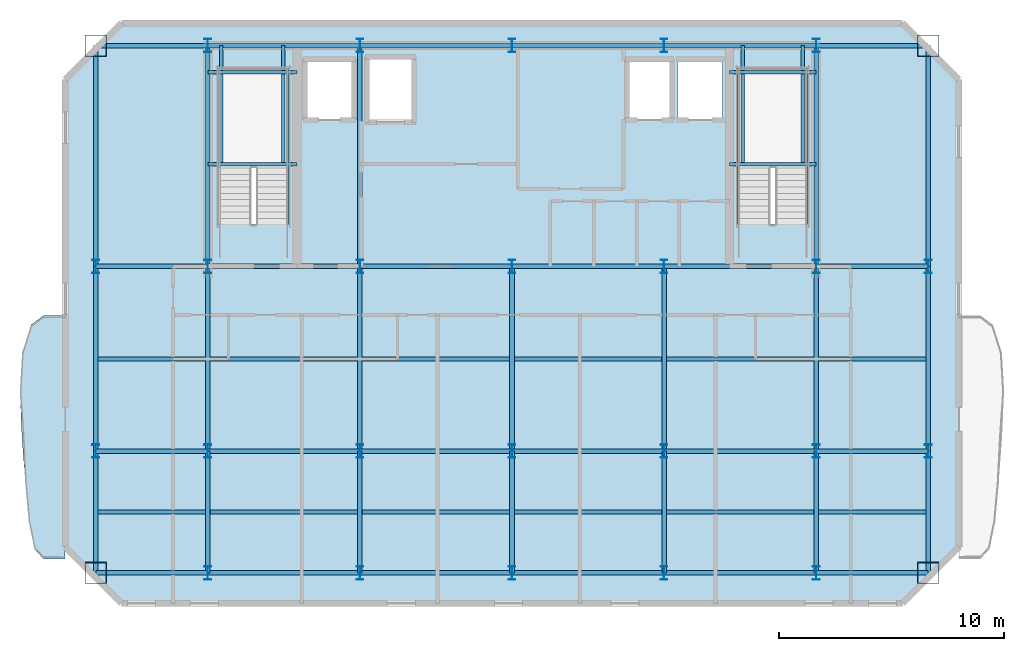
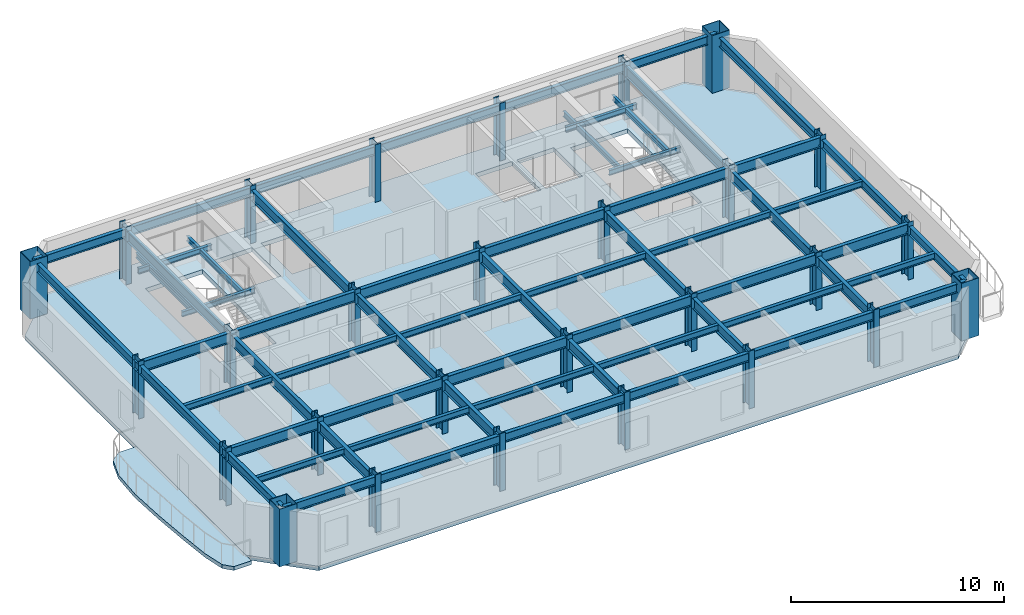
# One storey, part 1 of 6: 63 beams, 28 columns, 2 slabs.
"""IFC4 building model written with IfcOpenShell, lengths in metres."""

from ifc_helpers import new_model, si_unit, direction, frame, origin, origin_2d, place, context, subcontext, project, spatial, polyline, hollow_rectangle, i_section, outline, extrude, material, layer, layer_set, material_profile, profile_set, type_object, element, save


model = new_model("IFC4")

# Units and contexts
model_context = context("Model", 3, precision=1e-05, world=origin(), true_north=direction((0.0, 1.0)))
body_context = subcontext(model_context, "Body", "Model", "MODEL_VIEW")
ifc_project = project(units=[si_unit("LENGTHUNIT", "METRE"), si_unit("AREAUNIT", "SQUARE_METRE"), si_unit("VOLUMEUNIT", "CUBIC_METRE"), si_unit("PLANEANGLEUNIT", "RADIAN"), si_unit("MASSUNIT", "GRAM", prefix="KILO")], contexts=[model_context])

# Site, building, storey
site_placement = place(None, origin())
site = spatial("IfcSite", under=ifc_project, at=site_placement, CompositionType="ELEMENT")
building_placement = place(site_placement, origin())
building = spatial("IfcBuilding", under=site, at=building_placement, Name="Haevon Station Towers", CompositionType="ELEMENT")
storey_placement = place(building_placement, frame((0.0, 0.0, 242.699951171875)))
storey = spatial("IfcBuildingStorey", under=building, at=storey_placement, Name="L67", CompositionType="ELEMENT", Elevation=242.699951171875)

# Columns
ifc_material_1 = material(Name="Steel S460", Category="steel")
ifc_material_profile_1 = material_profile(ifc_material_1, hollow_rectangle(XDim=0.949951171875, YDim=0.949951171875, WallThickness=0.028076171875, at=origin_2d()), Name="BOX-950x950x28")
ifc_profile_set_1 = profile_set([ifc_material_profile_1], Name="Steel S460")
column_type_1 = type_object("IfcColumnType", Name="COL-MC6", PredefinedType="COLUMN", material=ifc_profile_set_1)
for number, where, z_axis, x_axis, name in (
    (1, (19.02490234375, 24.60009765625, 0.0), (0.0, 0.0, 1.0), (1.0, 0.0, 0.0), "COL-T1-L67-01-01"),
    (2, (19.02490234375, 48.0, 0.0), (0.0, 0.0, 1.0), (1.0, 0.0, 0.0), "COL-T1-L67-01-04"),
    (3, (55.97509765625, 24.60009765625, 0.0), (0.0, 0.0, 1.0), (1.0, 0.0, 0.0), "COL-T1-L67-07-01"),
    (4, (55.97509765625, 48.0, 0.0), (0.0, 0.0, 1.0), (1.0, 0.0, 0.0), "COL-T1-L67-07-04"),
):
    element("IfcColumn", number, at=place(storey_placement, frame(where, z_axis=z_axis, x_axis=x_axis)), inside=storey, type_object=column_type_1, Name=name, PredefinedType="COLUMN", context=body_context, shape_type="SweptSolid", body=[
        extrude(hollow_rectangle(XDim=0.949951171875, YDim=0.949951171875, WallThickness=0.028076171875, at=origin_2d()), origin(), (0.0, 0.0, 1.0), 3.300048828125),
    ])
ifc_material_2 = material(Name="Steel S355", Category="steel")
ifc_material_profile_2 = material_profile(ifc_material_2, i_section(OverallWidth=0.300048828125, OverallDepth=0.60009765625, WebThickness=0.013916015625, FlangeThickness=0.02490234375, at=origin_2d()), Name="H-600x300x14x25")
ifc_profile_set_2 = profile_set([ifc_material_profile_2], Name="Steel S355")
column_type_2 = type_object("IfcColumnType", Name="COL-TW4", PredefinedType="COLUMN", material=ifc_profile_set_2)
for number, where, z_axis, x_axis, name in (
    (5, (19.02490234375, 30.0, 0.0), (0.0, 0.0, 1.0), (1.0, 0.0, 0.0), "COL-T1-L67-01-02"),
    (6, (19.02490234375, 38.199951171875, 0.0), (0.0, 0.0, 1.0), (1.0, 0.0, 0.0), "COL-T1-L67-01-03"),
    (7, (24.0, 24.60009765625, 0.0), (0.0, 0.0, 1.0), (1.0, 0.0, 0.0), "COL-T1-L67-02-01"),
    (8, (24.0, 30.0, 0.0), (0.0, 0.0, 1.0), (1.0, 0.0, 0.0), "COL-T1-L67-02-02"),
    (9, (24.0, 38.199951171875, 0.0), (0.0, 0.0, 1.0), (1.0, 0.0, 0.0), "COL-T1-L67-02-03"),
    (10, (24.0, 48.0, 0.0), (0.0, 0.0, 1.0), (1.0, 0.0, 0.0), "COL-T1-L67-02-04"),
    (11, (30.75, 24.60009765625, 0.0), (0.0, 0.0, 1.0), (1.0, 0.0, 0.0), "COL-T1-L67-03-01"),
    (12, (30.75, 30.0, 0.0), (0.0, 0.0, 1.0), (1.0, 0.0, 0.0), "COL-T1-L67-03-02"),
    (13, (30.75, 38.199951171875, 0.0), (0.0, 0.0, 1.0), (1.0, 0.0, 0.0), "COL-T1-L67-03-03"),
    (14, (30.75, 48.0, 0.0), (0.0, 0.0, 1.0), (1.0, 0.0, 0.0), "COL-T1-L67-03-04"),
    (15, (37.5, 24.60009765625, 0.0), (0.0, 0.0, 1.0), (1.0, 0.0, 0.0), "COL-T1-L67-04-01"),
    (16, (37.5, 30.0, 0.0), (0.0, 0.0, 1.0), (1.0, 0.0, 0.0), "COL-T1-L67-04-02"),
    (17, (37.5, 38.199951171875, 0.0), (0.0, 0.0, 1.0), (1.0, 0.0, 0.0), "COL-T1-L67-04-03"),
    (18, (37.5, 48.0, 0.0), (0.0, 0.0, 1.0), (1.0, 0.0, 0.0), "COL-T1-L67-04-04"),
    (19, (44.25, 24.60009765625, 0.0), (0.0, 0.0, 1.0), (1.0, 0.0, 0.0), "COL-T1-L67-05-01"),
    (20, (44.25, 30.0, 0.0), (0.0, 0.0, 1.0), (1.0, 0.0, 0.0), "COL-T1-L67-05-02"),
    (21, (44.25, 38.199951171875, 0.0), (0.0, 0.0, 1.0), (1.0, 0.0, 0.0), "COL-T1-L67-05-03"),
    (22, (44.25, 48.0, 0.0), (0.0, 0.0, 1.0), (1.0, 0.0, 0.0), "COL-T1-L67-05-04"),
    (23, (51.0, 24.60009765625, 0.0), (0.0, 0.0, 1.0), (1.0, 0.0, 0.0), "COL-T1-L67-06-01"),
    (24, (51.0, 30.0, 0.0), (0.0, 0.0, 1.0), (1.0, 0.0, 0.0), "COL-T1-L67-06-02"),
    (25, (51.0, 38.199951171875, 0.0), (0.0, 0.0, 1.0), (1.0, 0.0, 0.0), "COL-T1-L67-06-03"),
    (26, (51.0, 48.0, 0.0), (0.0, 0.0, 1.0), (1.0, 0.0, 0.0), "COL-T1-L67-06-04"),
    (27, (55.97509765625, 30.0, 0.0), (0.0, 0.0, 1.0), (1.0, 0.0, 0.0), "COL-T1-L67-07-02"),
    (28, (55.97509765625, 38.199951171875, 0.0), (0.0, 0.0, 1.0), (1.0, 0.0, 0.0), "COL-T1-L67-07-03"),
):
    element("IfcColumn", number, at=place(storey_placement, frame(where, z_axis=z_axis, x_axis=x_axis)), inside=storey, type_object=column_type_2, Name=name, PredefinedType="COLUMN", context=body_context, shape_type="SweptSolid", body=[
        extrude(i_section(OverallWidth=0.300048828125, OverallDepth=0.60009765625, WebThickness=0.013916015625, FlangeThickness=0.02490234375, at=origin_2d()), origin(), (0.0, 0.0, 1.0), 3.300048828125),
    ])

# Beams
ifc_material_profile_3 = material_profile(ifc_material_2, i_section(OverallWidth=0.199951171875, OverallDepth=0.60009765625, WebThickness=0.010986328125, FlangeThickness=0.01708984375, at=origin_2d()), Name="H-600x200x11x17")
ifc_profile_set_3 = profile_set([ifc_material_profile_3], Name="Steel S355")
beam_type_1 = type_object("IfcBeamType", Name="BM-G600", PredefinedType="BEAM", material=ifc_profile_set_3)
beam_1_placement = place(storey_placement, frame((19.02490234375, 30.0, 2.75), z_axis=(1.0, 0.0, 0.0), x_axis=(0.0, 1.0, 0.0)))
element("IfcBeam", 29, at=beam_1_placement, inside=storey, type_object=beam_type_1, Name="BM-T1U-L67-02-01", PredefinedType="BEAM", context=body_context, shape_type="SweptSolid", body=[
    extrude(i_section(OverallWidth=0.199951171875, OverallDepth=0.60009765625, WebThickness=0.010986328125, FlangeThickness=0.01708984375, at=origin_2d()), origin(), (0.0, 0.0, 1.0), 4.97509765625),
])
for number, where, z_axis, x_axis, name in (
    (30, (24.0, 30.0, 2.75), (1.0, 0.0, 0.0), (0.0, 1.0, 0.0), "BM-T1U-L67-02-02"),
    (31, (30.75, 30.0, 2.75), (1.0, 0.0, 0.0), (0.0, 1.0, 0.0), "BM-T1U-L67-02-03"),
    (32, (37.5, 30.0, 2.75), (1.0, 0.0, 0.0), (0.0, 1.0, 0.0), "BM-T1U-L67-02-04"),
    (33, (44.25, 30.0, 2.75), (1.0, 0.0, 0.0), (0.0, 1.0, 0.0), "BM-T1U-L67-02-05"),
):
    element("IfcBeam", number, at=place(storey_placement, frame(where, z_axis=z_axis, x_axis=x_axis)), inside=storey, type_object=beam_type_1, Name=name, PredefinedType="BEAM", context=body_context, shape_type="SweptSolid", body=[
        extrude(i_section(OverallWidth=0.199951171875, OverallDepth=0.60009765625, WebThickness=0.010986328125, FlangeThickness=0.01708984375, at=origin_2d()), origin(), (0.0, 0.0, 1.0), 6.75),
    ])
for number, where, z_axis, x_axis, name in (
    (34, (51.0, 30.0, 2.75), (1.0, 0.0, 0.0), (0.0, 1.0, 0.0), "BM-T1U-L67-02-06"),
    (35, (19.02490234375, 38.199951171875, 2.75), (1.0, 0.0, 0.0), (0.0, 1.0, 0.0), "BM-T1U-L67-03-01"),
):
    element("IfcBeam", number, at=place(storey_placement, frame(where, z_axis=z_axis, x_axis=x_axis)), inside=storey, type_object=beam_type_1, Name=name, PredefinedType="BEAM", context=body_context, shape_type="SweptSolid", body=[
        extrude(i_section(OverallWidth=0.199951171875, OverallDepth=0.60009765625, WebThickness=0.010986328125, FlangeThickness=0.01708984375, at=origin_2d()), origin(), (0.0, 0.0, 1.0), 4.97509765625),
    ])
for number, where, z_axis, x_axis, name in (
    (36, (24.0, 38.199951171875, 2.75), (1.0, 0.0, 0.0), (0.0, 1.0, 0.0), "BM-T1U-L67-03-02"),
    (37, (30.75, 38.199951171875, 2.75), (1.0, 0.0, 0.0), (0.0, 1.0, 0.0), "BM-T1U-L67-03-03"),
    (38, (37.5, 38.199951171875, 2.75), (1.0, 0.0, 0.0), (0.0, 1.0, 0.0), "BM-T1U-L67-03-04"),
    (39, (44.25, 38.199951171875, 2.75), (1.0, 0.0, 0.0), (0.0, 1.0, 0.0), "BM-T1U-L67-03-05"),
):
    element("IfcBeam", number, at=place(storey_placement, frame(where, z_axis=z_axis, x_axis=x_axis)), inside=storey, type_object=beam_type_1, Name=name, PredefinedType="BEAM", context=body_context, shape_type="SweptSolid", body=[
        extrude(i_section(OverallWidth=0.199951171875, OverallDepth=0.60009765625, WebThickness=0.010986328125, FlangeThickness=0.01708984375, at=origin_2d()), origin(), (0.0, 0.0, 1.0), 6.75),
    ])
beam_2_placement = place(storey_placement, frame((51.0, 38.199951171875, 2.75), z_axis=(1.0, 0.0, 0.0), x_axis=(0.0, 1.0, 0.0)))
element("IfcBeam", 40, at=beam_2_placement, inside=storey, type_object=beam_type_1, Name="BM-T1U-L67-03-06", PredefinedType="BEAM", context=body_context, shape_type="SweptSolid", body=[
    extrude(i_section(OverallWidth=0.199951171875, OverallDepth=0.60009765625, WebThickness=0.010986328125, FlangeThickness=0.01708984375, at=origin_2d()), origin(), (0.0, 0.0, 1.0), 4.97509765625),
])
beam_3_placement = place(storey_placement, frame((24.0, 24.60009765625, 2.75), z_axis=(0.0, 1.0, 0.0), x_axis=(-1.0, 0.0, 0.0)))
element("IfcBeam", 41, at=beam_3_placement, inside=storey, type_object=beam_type_1, Name="BM-T1V-L67-02-01", PredefinedType="BEAM", context=body_context, shape_type="SweptSolid", body=[
    extrude(i_section(OverallWidth=0.199951171875, OverallDepth=0.60009765625, WebThickness=0.010986328125, FlangeThickness=0.01708984375, at=origin_2d()), origin(), (0.0, 0.0, 1.0), 5.39990234375),
])
beam_4_placement = place(storey_placement, frame((24.0, 30.0, 2.75), z_axis=(0.0, 1.0, 0.0), x_axis=(-1.0, 0.0, 0.0)))
element("IfcBeam", 42, at=beam_4_placement, inside=storey, type_object=beam_type_1, Name="BM-T1V-L67-02-02", PredefinedType="BEAM", context=body_context, shape_type="SweptSolid", body=[
    extrude(i_section(OverallWidth=0.199951171875, OverallDepth=0.60009765625, WebThickness=0.010986328125, FlangeThickness=0.01708984375, at=origin_2d()), origin(), (0.0, 0.0, 1.0), 8.199951171875),
])
beam_5_placement = place(storey_placement, frame((24.0, 38.199951171875, 2.75), z_axis=(0.0, 1.0, 0.0), x_axis=(-1.0, 0.0, 0.0)))
element("IfcBeam", 43, at=beam_5_placement, inside=storey, type_object=beam_type_1, Name="BM-T1V-L67-02-03", PredefinedType="BEAM", context=body_context, shape_type="SweptSolid", body=[
    extrude(i_section(OverallWidth=0.199951171875, OverallDepth=0.60009765625, WebThickness=0.010986328125, FlangeThickness=0.01708984375, at=origin_2d()), origin(), (0.0, 0.0, 1.0), 9.800048828125),
])
beam_6_placement = place(storey_placement, frame((30.75, 24.60009765625, 2.75), z_axis=(0.0, 1.0, 0.0), x_axis=(-1.0, 0.0, 0.0)))
element("IfcBeam", 44, at=beam_6_placement, inside=storey, type_object=beam_type_1, Name="BM-T1V-L67-03-01", PredefinedType="BEAM", context=body_context, shape_type="SweptSolid", body=[
    extrude(i_section(OverallWidth=0.199951171875, OverallDepth=0.60009765625, WebThickness=0.010986328125, FlangeThickness=0.01708984375, at=origin_2d()), origin(), (0.0, 0.0, 1.0), 5.39990234375),
])
beam_7_placement = place(storey_placement, frame((30.75, 30.0, 2.75), z_axis=(0.0, 1.0, 0.0), x_axis=(-1.0, 0.0, 0.0)))
element("IfcBeam", 45, at=beam_7_placement, inside=storey, type_object=beam_type_1, Name="BM-T1V-L67-03-02", PredefinedType="BEAM", context=body_context, shape_type="SweptSolid", body=[
    extrude(i_section(OverallWidth=0.199951171875, OverallDepth=0.60009765625, WebThickness=0.010986328125, FlangeThickness=0.01708984375, at=origin_2d()), origin(), (0.0, 0.0, 1.0), 8.199951171875),
])
beam_8_placement = place(storey_placement, frame((30.75, 38.199951171875, 2.75), z_axis=(0.0, 1.0, 0.0), x_axis=(-1.0, 0.0, 0.0)))
element("IfcBeam", 46, at=beam_8_placement, inside=storey, type_object=beam_type_1, Name="BM-T1V-L67-03-03", PredefinedType="BEAM", context=body_context, shape_type="SweptSolid", body=[
    extrude(i_section(OverallWidth=0.199951171875, OverallDepth=0.60009765625, WebThickness=0.010986328125, FlangeThickness=0.01708984375, at=origin_2d()), origin(), (0.0, 0.0, 1.0), 9.800048828125),
])
beam_9_placement = place(storey_placement, frame((37.5, 24.60009765625, 2.75), z_axis=(0.0, 1.0, 0.0), x_axis=(-1.0, 0.0, 0.0)))
element("IfcBeam", 47, at=beam_9_placement, inside=storey, type_object=beam_type_1, Name="BM-T1V-L67-04-01", PredefinedType="BEAM", context=body_context, shape_type="SweptSolid", body=[
    extrude(i_section(OverallWidth=0.199951171875, OverallDepth=0.60009765625, WebThickness=0.010986328125, FlangeThickness=0.01708984375, at=origin_2d()), origin(), (0.0, 0.0, 1.0), 5.39990234375),
])
beam_10_placement = place(storey_placement, frame((37.5, 30.0, 2.75), z_axis=(0.0, 1.0, 0.0), x_axis=(-1.0, 0.0, 0.0)))
element("IfcBeam", 48, at=beam_10_placement, inside=storey, type_object=beam_type_1, Name="BM-T1V-L67-04-02", PredefinedType="BEAM", context=body_context, shape_type="SweptSolid", body=[
    extrude(i_section(OverallWidth=0.199951171875, OverallDepth=0.60009765625, WebThickness=0.010986328125, FlangeThickness=0.01708984375, at=origin_2d()), origin(), (0.0, 0.0, 1.0), 8.199951171875),
])
beam_11_placement = place(storey_placement, frame((44.25, 24.60009765625, 2.75), z_axis=(0.0, 1.0, 0.0), x_axis=(-1.0, 0.0, 0.0)))
element("IfcBeam", 49, at=beam_11_placement, inside=storey, type_object=beam_type_1, Name="BM-T1V-L67-05-01", PredefinedType="BEAM", context=body_context, shape_type="SweptSolid", body=[
    extrude(i_section(OverallWidth=0.199951171875, OverallDepth=0.60009765625, WebThickness=0.010986328125, FlangeThickness=0.01708984375, at=origin_2d()), origin(), (0.0, 0.0, 1.0), 5.39990234375),
])
beam_12_placement = place(storey_placement, frame((44.25, 30.0, 2.75), z_axis=(0.0, 1.0, 0.0), x_axis=(-1.0, 0.0, 0.0)))
element("IfcBeam", 50, at=beam_12_placement, inside=storey, type_object=beam_type_1, Name="BM-T1V-L67-05-02", PredefinedType="BEAM", context=body_context, shape_type="SweptSolid", body=[
    extrude(i_section(OverallWidth=0.199951171875, OverallDepth=0.60009765625, WebThickness=0.010986328125, FlangeThickness=0.01708984375, at=origin_2d()), origin(), (0.0, 0.0, 1.0), 8.199951171875),
])
beam_13_placement = place(storey_placement, frame((51.0, 24.60009765625, 2.75), z_axis=(0.0, 1.0, 0.0), x_axis=(-1.0, 0.0, 0.0)))
element("IfcBeam", 51, at=beam_13_placement, inside=storey, type_object=beam_type_1, Name="BM-T1V-L67-06-01", PredefinedType="BEAM", context=body_context, shape_type="SweptSolid", body=[
    extrude(i_section(OverallWidth=0.199951171875, OverallDepth=0.60009765625, WebThickness=0.010986328125, FlangeThickness=0.01708984375, at=origin_2d()), origin(), (0.0, 0.0, 1.0), 5.39990234375),
])
beam_14_placement = place(storey_placement, frame((51.0, 30.0, 2.75), z_axis=(0.0, 1.0, 0.0), x_axis=(-1.0, 0.0, 0.0)))
element("IfcBeam", 52, at=beam_14_placement, inside=storey, type_object=beam_type_1, Name="BM-T1V-L67-06-02", PredefinedType="BEAM", context=body_context, shape_type="SweptSolid", body=[
    extrude(i_section(OverallWidth=0.199951171875, OverallDepth=0.60009765625, WebThickness=0.010986328125, FlangeThickness=0.01708984375, at=origin_2d()), origin(), (0.0, 0.0, 1.0), 8.199951171875),
])
beam_15_placement = place(storey_placement, frame((51.0, 38.199951171875, 2.75), z_axis=(0.0, 1.0, 0.0), x_axis=(-1.0, 0.0, 0.0)))
element("IfcBeam", 53, at=beam_15_placement, inside=storey, type_object=beam_type_1, Name="BM-T1V-L67-06-03", PredefinedType="BEAM", context=body_context, shape_type="SweptSolid", body=[
    extrude(i_section(OverallWidth=0.199951171875, OverallDepth=0.60009765625, WebThickness=0.010986328125, FlangeThickness=0.01708984375, at=origin_2d()), origin(), (0.0, 0.0, 1.0), 9.800048828125),
])
ifc_material_profile_4 = material_profile(ifc_material_2, i_section(OverallWidth=0.175048828125, OverallDepth=0.35009765625, WebThickness=0.007080078125, FlangeThickness=0.010986328125, at=origin_2d()), Name="H-350x175x7x11")
ifc_profile_set_4 = profile_set([ifc_material_profile_4], Name="Steel S355")
beam_type_2 = type_object("IfcBeamType", Name="BM-J350", PredefinedType="JOIST", material=ifc_profile_set_4)
beam_16_placement = place(storey_placement, frame((19.135009765625, 27.300048828125, 2.875), z_axis=(1.0, 0.0, 0.0), x_axis=(0.0, 1.0, 0.0)))
element("IfcBeam", 54, at=beam_16_placement, inside=storey, type_object=beam_type_2, Name="BM-T1J-L67-01-01", PredefinedType="JOIST", context=body_context, shape_type="SweptSolid", body=[
    extrude(i_section(OverallWidth=0.175048828125, OverallDepth=0.35009765625, WebThickness=0.007080078125, FlangeThickness=0.010986328125, at=origin_2d()), origin(), (0.0, 0.0, 1.0), 4.7548828125),
])
for number, where, z_axis, x_axis, name in (
    (55, (24.110107421875, 27.300048828125, 2.875), (1.0, 0.0, 0.0), (0.0, 1.0, 0.0), "BM-T1J-L67-01-02"),
    (56, (30.860107421875, 27.300048828125, 2.875), (1.0, 0.0, 0.0), (0.0, 1.0, 0.0), "BM-T1J-L67-01-03"),
    (57, (37.610107421875, 27.300048828125, 2.875), (1.0, 0.0, 0.0), (0.0, 1.0, 0.0), "BM-T1J-L67-01-04"),
    (58, (44.360107421875, 27.300048828125, 2.875), (1.0, 0.0, 0.0), (0.0, 1.0, 0.0), "BM-T1J-L67-01-05"),
):
    element("IfcBeam", number, at=place(storey_placement, frame(where, z_axis=z_axis, x_axis=x_axis)), inside=storey, type_object=beam_type_2, Name=name, PredefinedType="JOIST", context=body_context, shape_type="SweptSolid", body=[
        extrude(i_section(OverallWidth=0.175048828125, OverallDepth=0.35009765625, WebThickness=0.007080078125, FlangeThickness=0.010986328125, at=origin_2d()), origin(), (0.0, 0.0, 1.0), 6.52978515625),
    ])
for number, where, z_axis, x_axis, name in (
    (59, (51.110107421875, 27.300048828125, 2.875), (1.0, 0.0, 0.0), (0.0, 1.0, 0.0), "BM-T1J-L67-01-06"),
    (60, (19.135009765625, 34.10009765625, 2.875), (1.0, 0.0, 0.0), (0.0, 1.0, 0.0), "BM-T1J-L67-02-01"),
):
    element("IfcBeam", number, at=place(storey_placement, frame(where, z_axis=z_axis, x_axis=x_axis)), inside=storey, type_object=beam_type_2, Name=name, PredefinedType="JOIST", context=body_context, shape_type="SweptSolid", body=[
        extrude(i_section(OverallWidth=0.175048828125, OverallDepth=0.35009765625, WebThickness=0.007080078125, FlangeThickness=0.010986328125, at=origin_2d()), origin(), (0.0, 0.0, 1.0), 4.7548828125),
    ])
for number, where, z_axis, x_axis, name in (
    (61, (24.110107421875, 34.10009765625, 2.875), (1.0, 0.0, 0.0), (0.0, 1.0, 0.0), "BM-T1J-L67-02-02"),
    (62, (30.860107421875, 34.10009765625, 2.875), (1.0, 0.0, 0.0), (0.0, 1.0, 0.0), "BM-T1J-L67-02-03"),
    (63, (37.610107421875, 34.10009765625, 2.875), (1.0, 0.0, 0.0), (0.0, 1.0, 0.0), "BM-T1J-L67-02-04"),
    (64, (44.360107421875, 34.10009765625, 2.875), (1.0, 0.0, 0.0), (0.0, 1.0, 0.0), "BM-T1J-L67-02-05"),
):
    element("IfcBeam", number, at=place(storey_placement, frame(where, z_axis=z_axis, x_axis=x_axis)), inside=storey, type_object=beam_type_2, Name=name, PredefinedType="JOIST", context=body_context, shape_type="SweptSolid", body=[
        extrude(i_section(OverallWidth=0.175048828125, OverallDepth=0.35009765625, WebThickness=0.007080078125, FlangeThickness=0.010986328125, at=origin_2d()), origin(), (0.0, 0.0, 1.0), 6.52978515625),
    ])
beam_17_placement = place(storey_placement, frame((51.110107421875, 34.10009765625, 2.875), z_axis=(1.0, 0.0, 0.0), x_axis=(0.0, 1.0, 0.0)))
element("IfcBeam", 65, at=beam_17_placement, inside=storey, type_object=beam_type_2, Name="BM-T1J-L67-02-06", PredefinedType="JOIST", context=body_context, shape_type="SweptSolid", body=[
    extrude(i_section(OverallWidth=0.175048828125, OverallDepth=0.35009765625, WebThickness=0.007080078125, FlangeThickness=0.010986328125, at=origin_2d()), origin(), (0.0, 0.0, 1.0), 4.7548828125),
])
ifc_material_profile_5 = material_profile(ifc_material_2, i_section(OverallWidth=0.14990234375, OverallDepth=0.300048828125, WebThickness=0.006591796875, FlangeThickness=0.009033203125, at=origin_2d()), Name="H-300x150x6.5x9")
ifc_profile_set_5 = profile_set([ifc_material_profile_5], Name="Steel S355")
beam_type_3 = type_object("IfcBeamType", Name="BM-LIN300", PredefinedType="LINTEL", material=ifc_profile_set_5)
for number, where, z_axis, x_axis, name in (
    (66, (24.0, 42.743896484375, 1.300048828125), (1.0, 0.0, 0.0), (0.0, 1.0, 0.0), "BM-ST1L-L67-1-S"),
    (67, (24.0, 46.820068359375, 1.300048828125), (1.0, 0.0, 0.0), (0.0, 1.0, 0.0), "BM-ST1L-L67-1-N"),
):
    element("IfcBeam", number, at=place(storey_placement, frame(where, z_axis=z_axis, x_axis=x_axis)), inside=storey, type_object=beam_type_3, Name=name, PredefinedType="LINTEL", context=body_context, shape_type="SweptSolid", body=[
        extrude(i_section(OverallWidth=0.14990234375, OverallDepth=0.300048828125, WebThickness=0.006591796875, FlangeThickness=0.009033203125, at=origin_2d()), origin(), (0.0, 0.0, 1.0), 3.949951171875),
    ])
for number, where, z_axis, x_axis, name in (
    (68, (24.60009765625, 42.743896484375, 1.300048828125), (0.0, 1.0, 0.0), (-1.0, 0.0, 0.0), "BM-ST1L-L67-1-W"),
    (69, (27.35009765625, 42.743896484375, 1.300048828125), (0.0, 1.0, 0.0), (-1.0, 0.0, 0.0), "BM-ST1L-L67-1-E"),
):
    element("IfcBeam", number, at=place(storey_placement, frame(where, z_axis=z_axis, x_axis=x_axis)), inside=storey, type_object=beam_type_3, Name=name, PredefinedType="LINTEL", context=body_context, shape_type="SweptSolid", body=[
        extrude(i_section(OverallWidth=0.14990234375, OverallDepth=0.300048828125, WebThickness=0.006591796875, FlangeThickness=0.009033203125, at=origin_2d()), origin(), (0.0, 0.0, 1.0), 5.256103515625),
    ])
for number, where, z_axis, x_axis, name in (
    (70, (47.14990234375, 42.743896484375, 1.300048828125), (1.0, 0.0, 0.0), (0.0, 1.0, 0.0), "BM-ST2L-L67-1-S"),
    (71, (47.14990234375, 46.820068359375, 1.300048828125), (1.0, 0.0, 0.0), (0.0, 1.0, 0.0), "BM-ST2L-L67-1-N"),
):
    element("IfcBeam", number, at=place(storey_placement, frame(where, z_axis=z_axis, x_axis=x_axis)), inside=storey, type_object=beam_type_3, Name=name, PredefinedType="LINTEL", context=body_context, shape_type="SweptSolid", body=[
        extrude(i_section(OverallWidth=0.14990234375, OverallDepth=0.300048828125, WebThickness=0.006591796875, FlangeThickness=0.009033203125, at=origin_2d()), origin(), (0.0, 0.0, 1.0), 3.85009765625),
    ])
for number, where, z_axis, x_axis, name in (
    (72, (47.75, 42.743896484375, 1.300048828125), (0.0, 1.0, 0.0), (-1.0, 0.0, 0.0), "BM-ST2L-L67-1-W"),
    (73, (50.39990234375, 42.743896484375, 1.300048828125), (0.0, 1.0, 0.0), (-1.0, 0.0, 0.0), "BM-ST2L-L67-1-E"),
):
    element("IfcBeam", number, at=place(storey_placement, frame(where, z_axis=z_axis, x_axis=x_axis)), inside=storey, type_object=beam_type_3, Name=name, PredefinedType="LINTEL", context=body_context, shape_type="SweptSolid", body=[
        extrude(i_section(OverallWidth=0.14990234375, OverallDepth=0.300048828125, WebThickness=0.006591796875, FlangeThickness=0.009033203125, at=origin_2d()), origin(), (0.0, 0.0, 1.0), 5.256103515625),
    ])
ifc_material_profile_6 = material_profile(ifc_material_2, i_section(OverallWidth=0.199951171875, OverallDepth=0.5, WebThickness=0.010009765625, FlangeThickness=0.01611328125, at=origin_2d()), Name="H-500x200x10x16")
ifc_profile_set_6 = profile_set([ifc_material_profile_6], Name="Steel S355")
beam_type_4 = type_object("IfcBeamType", Name="BM-SP500", PredefinedType="SPANDREL", material=ifc_profile_set_6)
beam_18_placement = place(storey_placement, frame((19.02490234375, 24.60009765625, 2.800048828125), z_axis=(1.0, 0.0, 0.0), x_axis=(0.0, 1.0, 0.0)))
element("IfcBeam", 74, at=beam_18_placement, inside=storey, type_object=beam_type_4, Name="BM-T1U-L67-01-01", PredefinedType="SPANDREL", context=body_context, shape_type="SweptSolid", body=[
    extrude(i_section(OverallWidth=0.199951171875, OverallDepth=0.5, WebThickness=0.010009765625, FlangeThickness=0.01611328125, at=origin_2d()), origin(), (0.0, 0.0, 1.0), 4.97509765625),
])
for number, where, z_axis, x_axis, name in (
    (75, (24.0, 24.60009765625, 2.800048828125), (1.0, 0.0, 0.0), (0.0, 1.0, 0.0), "BM-T1U-L67-01-02"),
    (76, (30.75, 24.60009765625, 2.800048828125), (1.0, 0.0, 0.0), (0.0, 1.0, 0.0), "BM-T1U-L67-01-03"),
    (77, (37.5, 24.60009765625, 2.800048828125), (1.0, 0.0, 0.0), (0.0, 1.0, 0.0), "BM-T1U-L67-01-04"),
    (78, (44.25, 24.60009765625, 2.800048828125), (1.0, 0.0, 0.0), (0.0, 1.0, 0.0), "BM-T1U-L67-01-05"),
):
    element("IfcBeam", number, at=place(storey_placement, frame(where, z_axis=z_axis, x_axis=x_axis)), inside=storey, type_object=beam_type_4, Name=name, PredefinedType="SPANDREL", context=body_context, shape_type="SweptSolid", body=[
        extrude(i_section(OverallWidth=0.199951171875, OverallDepth=0.5, WebThickness=0.010009765625, FlangeThickness=0.01611328125, at=origin_2d()), origin(), (0.0, 0.0, 1.0), 6.75),
    ])
for number, where, z_axis, x_axis, name in (
    (79, (51.0, 24.60009765625, 2.800048828125), (1.0, 0.0, 0.0), (0.0, 1.0, 0.0), "BM-T1U-L67-01-06"),
    (80, (19.02490234375, 48.0, 2.800048828125), (1.0, 0.0, 0.0), (0.0, 1.0, 0.0), "BM-T1U-L67-04-01"),
):
    element("IfcBeam", number, at=place(storey_placement, frame(where, z_axis=z_axis, x_axis=x_axis)), inside=storey, type_object=beam_type_4, Name=name, PredefinedType="SPANDREL", context=body_context, shape_type="SweptSolid", body=[
        extrude(i_section(OverallWidth=0.199951171875, OverallDepth=0.5, WebThickness=0.010009765625, FlangeThickness=0.01611328125, at=origin_2d()), origin(), (0.0, 0.0, 1.0), 4.97509765625),
    ])
for number, where, z_axis, x_axis, name in (
    (81, (24.0, 48.0, 2.800048828125), (1.0, 0.0, 0.0), (0.0, 1.0, 0.0), "BM-T1U-L67-04-02"),
    (82, (30.75, 48.0, 2.800048828125), (1.0, 0.0, 0.0), (0.0, 1.0, 0.0), "BM-T1U-L67-04-03"),
    (83, (37.5, 48.0, 2.800048828125), (1.0, 0.0, 0.0), (0.0, 1.0, 0.0), "BM-T1U-L67-04-04"),
    (84, (44.25, 48.0, 2.800048828125), (1.0, 0.0, 0.0), (0.0, 1.0, 0.0), "BM-T1U-L67-04-05"),
):
    element("IfcBeam", number, at=place(storey_placement, frame(where, z_axis=z_axis, x_axis=x_axis)), inside=storey, type_object=beam_type_4, Name=name, PredefinedType="SPANDREL", context=body_context, shape_type="SweptSolid", body=[
        extrude(i_section(OverallWidth=0.199951171875, OverallDepth=0.5, WebThickness=0.010009765625, FlangeThickness=0.01611328125, at=origin_2d()), origin(), (0.0, 0.0, 1.0), 6.75),
    ])
beam_19_placement = place(storey_placement, frame((51.0, 48.0, 2.800048828125), z_axis=(1.0, 0.0, 0.0), x_axis=(0.0, 1.0, 0.0)))
element("IfcBeam", 85, at=beam_19_placement, inside=storey, type_object=beam_type_4, Name="BM-T1U-L67-04-06", PredefinedType="SPANDREL", context=body_context, shape_type="SweptSolid", body=[
    extrude(i_section(OverallWidth=0.199951171875, OverallDepth=0.5, WebThickness=0.010009765625, FlangeThickness=0.01611328125, at=origin_2d()), origin(), (0.0, 0.0, 1.0), 4.97509765625),
])
beam_20_placement = place(storey_placement, frame((19.02490234375, 24.60009765625, 2.800048828125), z_axis=(0.0, 1.0, 0.0), x_axis=(-1.0, 0.0, 0.0)))
element("IfcBeam", 86, at=beam_20_placement, inside=storey, type_object=beam_type_4, Name="BM-T1V-L67-01-01", PredefinedType="SPANDREL", context=body_context, shape_type="SweptSolid", body=[
    extrude(i_section(OverallWidth=0.199951171875, OverallDepth=0.5, WebThickness=0.010009765625, FlangeThickness=0.01611328125, at=origin_2d()), origin(), (0.0, 0.0, 1.0), 5.39990234375),
])
beam_21_placement = place(storey_placement, frame((19.02490234375, 30.0, 2.800048828125), z_axis=(0.0, 1.0, 0.0), x_axis=(-1.0, 0.0, 0.0)))
element("IfcBeam", 87, at=beam_21_placement, inside=storey, type_object=beam_type_4, Name="BM-T1V-L67-01-02", PredefinedType="SPANDREL", context=body_context, shape_type="SweptSolid", body=[
    extrude(i_section(OverallWidth=0.199951171875, OverallDepth=0.5, WebThickness=0.010009765625, FlangeThickness=0.01611328125, at=origin_2d()), origin(), (0.0, 0.0, 1.0), 8.199951171875),
])
beam_22_placement = place(storey_placement, frame((19.02490234375, 38.199951171875, 2.800048828125), z_axis=(0.0, 1.0, 0.0), x_axis=(-1.0, 0.0, 0.0)))
element("IfcBeam", 88, at=beam_22_placement, inside=storey, type_object=beam_type_4, Name="BM-T1V-L67-01-03", PredefinedType="SPANDREL", context=body_context, shape_type="SweptSolid", body=[
    extrude(i_section(OverallWidth=0.199951171875, OverallDepth=0.5, WebThickness=0.010009765625, FlangeThickness=0.01611328125, at=origin_2d()), origin(), (0.0, 0.0, 1.0), 9.800048828125),
])
beam_23_placement = place(storey_placement, frame((55.97509765625, 24.60009765625, 2.800048828125), z_axis=(0.0, 1.0, 0.0), x_axis=(-1.0, 0.0, 0.0)))
element("IfcBeam", 89, at=beam_23_placement, inside=storey, type_object=beam_type_4, Name="BM-T1V-L67-07-01", PredefinedType="SPANDREL", context=body_context, shape_type="SweptSolid", body=[
    extrude(i_section(OverallWidth=0.199951171875, OverallDepth=0.5, WebThickness=0.010009765625, FlangeThickness=0.01611328125, at=origin_2d()), origin(), (0.0, 0.0, 1.0), 5.39990234375),
])
beam_24_placement = place(storey_placement, frame((55.97509765625, 30.0, 2.800048828125), z_axis=(0.0, 1.0, 0.0), x_axis=(-1.0, 0.0, 0.0)))
element("IfcBeam", 90, at=beam_24_placement, inside=storey, type_object=beam_type_4, Name="BM-T1V-L67-07-02", PredefinedType="SPANDREL", context=body_context, shape_type="SweptSolid", body=[
    extrude(i_section(OverallWidth=0.199951171875, OverallDepth=0.5, WebThickness=0.010009765625, FlangeThickness=0.01611328125, at=origin_2d()), origin(), (0.0, 0.0, 1.0), 8.199951171875),
])
beam_25_placement = place(storey_placement, frame((55.97509765625, 38.199951171875, 2.800048828125), z_axis=(0.0, 1.0, 0.0), x_axis=(-1.0, 0.0, 0.0)))
element("IfcBeam", 91, at=beam_25_placement, inside=storey, type_object=beam_type_4, Name="BM-T1V-L67-07-03", PredefinedType="SPANDREL", context=body_context, shape_type="SweptSolid", body=[
    extrude(i_section(OverallWidth=0.199951171875, OverallDepth=0.5, WebThickness=0.010009765625, FlangeThickness=0.01611328125, at=origin_2d()), origin(), (0.0, 0.0, 1.0), 9.800048828125),
])

# Slabs
ifc_material_3 = material(Name="Concrete C40/50", Category="concrete")
ifc_layer_1 = layer(ifc_material_3, 0.219970703125)
ifc_layer_set_1 = layer_set([ifc_layer_1], Name="Concrete C40/50")
slab_type_1 = type_object("IfcSlabType", Name="SL-BALC220", PredefinedType="FLOOR", material=ifc_layer_set_1)
slab_1_placement = place(storey_placement, frame((0.0, 0.0, -0.219970703125)))
element("IfcSlab", 92, at=slab_1_placement, inside=storey, type_object=slab_type_1, Name="Tower 1 L67 West SCALLOPED BALCONY", PredefinedType="FLOOR", context=body_context, shape_type="SweptSolid", body=[
    extrude(outline(polyline([(17.669921875, 36.02490234375), (16.712646484375, 36.02490234375), (16.158935546875, 35.614013671875), (15.77783203125, 34.443359375), (15.66259765625, 32.69140625), (15.74951171875, 30.625), (15.9052734375, 28.55859375), (16.07568359375, 26.806640625), (16.32177734375, 25.635986328125), (16.712646484375, 25.22509765625), (17.669921875, 25.22509765625), (17.669921875, 36.02490234375)])), origin(), (0.0, 0.0, 1.0), 0.219970703125),
])
ifc_layer_2 = layer(ifc_material_3, 0.25)
ifc_layer_set_2 = layer_set([ifc_layer_2], Name="Concrete C40/50")
slab_type_2 = type_object("IfcSlabType", Name="SL-TW250", PredefinedType="FLOOR", material=ifc_layer_set_2)
slab_2_placement = place(storey_placement, frame((0.0, 0.0, -0.25)))
element("IfcSlab", 93, at=slab_2_placement, inside=storey, type_object=slab_type_2, Name="SL-T1-L67", PredefinedType="FLOOR", context=body_context, shape_type="SweptSolid", body=[
    extrude(outline(polyline([(20.175048828125, 23.25), (54.824951171875, 23.25), (57.324951171875, 25.75), (57.324951171875, 46.5), (54.824951171875, 49.0), (20.175048828125, 49.0), (17.675048828125, 46.5), (17.675048828125, 25.75), (20.175048828125, 23.25)]), holes=[polyline([(27.580078125, 40.055908203125), (27.580078125, 47.0), (24.47998046875, 47.0), (24.47998046875, 40.055908203125), (27.580078125, 40.055908203125)]), polyline([(50.6201171875, 40.055908203125), (50.6201171875, 47.0), (47.52001953125, 47.0), (47.52001953125, 40.055908203125), (50.6201171875, 40.055908203125)]), polyline([(28.300048828125, 44.699951171875), (30.5, 44.699951171875), (30.5, 47.39990234375), (28.300048828125, 47.39990234375), (28.300048828125, 44.699951171875)]), polyline([(31.050048828125, 44.60009765625), (33.14990234375, 44.60009765625), (33.14990234375, 47.5), (31.050048828125, 47.5), (31.050048828125, 44.60009765625)]), polyline([(42.60009765625, 44.699951171875), (44.60009765625, 44.699951171875), (44.60009765625, 47.39990234375), (42.60009765625, 47.39990234375), (42.60009765625, 44.699951171875)]), polyline([(44.85009765625, 44.699951171875), (46.85009765625, 44.699951171875), (46.85009765625, 47.39990234375), (44.85009765625, 47.39990234375), (44.85009765625, 44.699951171875)])]), origin(), (0.0, 0.0, 1.0), 0.25),
])

save(model, "model.ifc")
